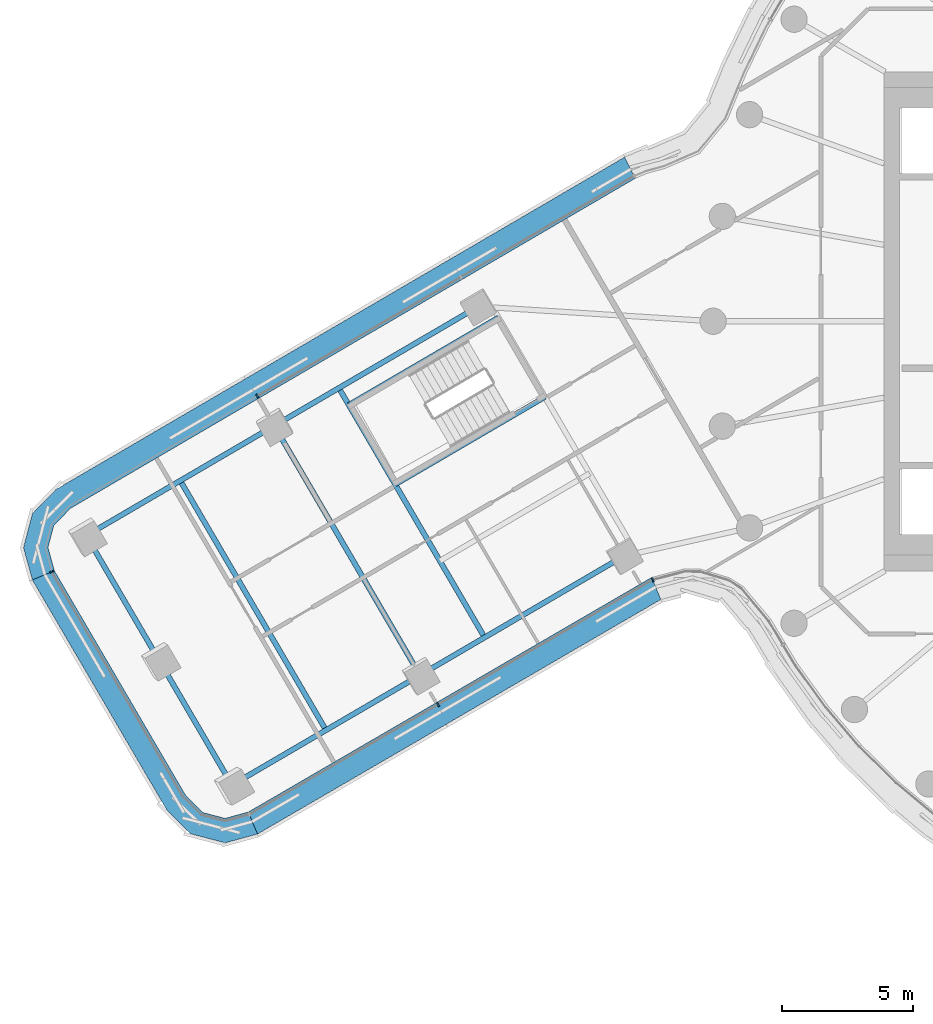
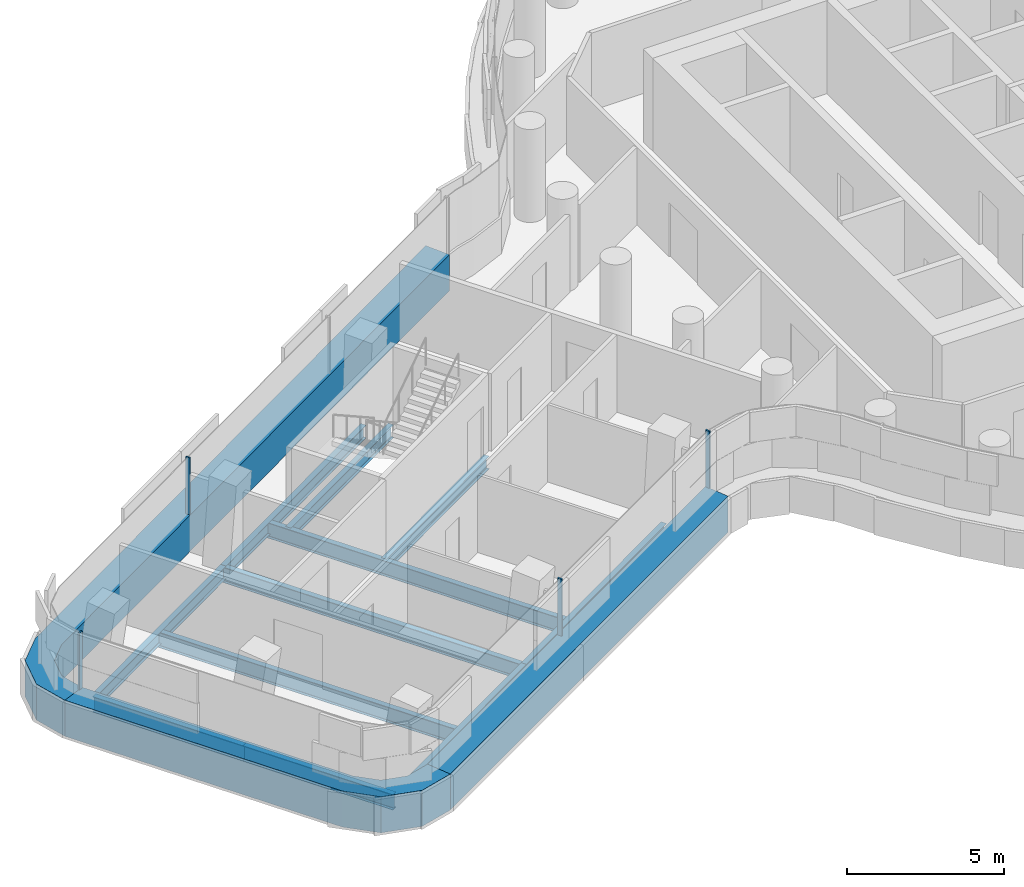
# One storey, part 7 of 35: 11 beams, 7 members, 4 elements without a shape of their own.
"""IFC4 building model written with IfcOpenShell, lengths in metres."""

from ifc_helpers import new_model, si_unit, direction, frame, origin, origin_2d, place, context, subcontext, project, spatial, polyline, rectangle, i_section, outline, extrude, material, layer, layer_set, material_profile, profile_set, type_object, element, aggregate, save


model = new_model("IFC4")

# Units and contexts
model_context = context("Model", 3, precision=1e-05, world=origin(), true_north=direction((0.0, 1.0)))
body_context = subcontext(model_context, "Body", "Model", "MODEL_VIEW")
ifc_project = project(units=[si_unit("LENGTHUNIT", "METRE"), si_unit("AREAUNIT", "SQUARE_METRE"), si_unit("VOLUMEUNIT", "CUBIC_METRE"), si_unit("PLANEANGLEUNIT", "RADIAN"), si_unit("MASSUNIT", "GRAM", prefix="KILO")], contexts=[model_context])

# Site, building, storey
site_placement = place(None, origin())
site = spatial("IfcSite", under=ifc_project, at=site_placement, CompositionType="ELEMENT")
building_placement = place(site_placement, origin())
building = spatial("IfcBuilding", under=site, at=building_placement, Name="Tamarind Cross Interchange Tower", CompositionType="ELEMENT")
storey_placement = place(building_placement, frame((0.0, 0.0, 144.25)))
storey = spatial("IfcBuildingStorey", under=building, at=storey_placement, Name="L35", CompositionType="ELEMENT", Elevation=144.25)

# Beams
ifc_material_1 = material(Name="Steel Q355B", Category="steel")
ifc_material_profile_1 = material_profile(ifc_material_1, i_section(OverallWidth=0.198974609375, OverallDepth=0.49609375, WebThickness=0.009033203125, FlangeThickness=0.013916015625, FilletRadius=0.012939453125, at=origin_2d()), Name="HN 496x199x9x14")
ifc_profile_set_1 = profile_set([ifc_material_profile_1], Name="Steel Q355B")
beam_type_1 = type_object("IfcBeamType", Name="Composite beam HN 496x199x9x14 Q355B", PredefinedType="BEAM", material=ifc_profile_set_1)
beam_1_placement = place(storey_placement, frame((-46.870849609375, -8.162841796875, -0.387939453125), z_axis=(0.863402759411, 0.504515287222, 0.0), x_axis=(-0.504515287222, 0.863402759411, 0.0)))
element("IfcBeam", 1, at=beam_1_placement, inside=storey, type_object=beam_type_1, Name="Beam W-edgeem5", PredefinedType="BEAM", context=body_context, shape_type="SweptSolid", body=[
    extrude(i_section(OverallWidth=0.198974609375, OverallDepth=0.49609375, WebThickness=0.009033203125, FlangeThickness=0.013916015625, FilletRadius=0.012939453125, at=origin_2d()), origin(), (0.0, 0.0, 1.0), 8.291748046875),
])
beam_2_placement = place(storey_placement, frame((-39.711669921875, -3.9794921875, -0.387939453125), z_axis=(0.863392968893, 0.504532041864, 0.0), x_axis=(-0.504532041864, 0.863392968893, 0.0)))
element("IfcBeam", 2, at=beam_2_placement, inside=storey, type_object=beam_type_1, Name="Beam W-edgeem6", PredefinedType="BEAM", context=body_context, shape_type="SweptSolid", body=[
    extrude(i_section(OverallWidth=0.198974609375, OverallDepth=0.49609375, WebThickness=0.009033203125, FlangeThickness=0.013916015625, FilletRadius=0.012939453125, at=origin_2d()), origin(), (0.0, 0.0, 1.0), 9.0),
])
beam_3_placement = place(storey_placement, frame((-41.3212890625, -17.66015625, -0.387939453125), z_axis=(0.863402759411, 0.504515287222, 0.0), x_axis=(-0.504515287222, 0.863402759411, 0.0)))
element("IfcBeam", 3, at=beam_3_placement, inside=storey, type_object=beam_type_1, Name="Beam W-edgeep2", PredefinedType="BEAM", context=body_context, shape_type="SweptSolid", body=[
    extrude(i_section(OverallWidth=0.198974609375, OverallDepth=0.49609375, WebThickness=0.009033203125, FlangeThickness=0.013916015625, FilletRadius=0.012939453125, at=origin_2d()), origin(), (0.0, 0.0, 1.0), 8.291748046875),
])
beam_4_placement = place(storey_placement, frame((-34.162109375, -13.476806640625, -0.387939453125), z_axis=(0.863411690028, 0.504500003492, 0.0), x_axis=(-0.504500003492, 0.863411690028, 0.0)))
element("IfcBeam", 4, at=beam_4_placement, inside=storey, type_object=beam_type_1, Name="Beam W-edgeep3", PredefinedType="BEAM", context=body_context, shape_type="SweptSolid", body=[
    extrude(i_section(OverallWidth=0.198974609375, OverallDepth=0.49609375, WebThickness=0.009033203125, FlangeThickness=0.013916015625, FilletRadius=0.012939453125, at=origin_2d()), origin(), (0.0, 0.0, 1.0), 9.0),
])
for number, where, z_axis, x_axis, name in (
    (5, (-31.174072265625, 0.140625, -0.387939453125), (-0.863401659884, -0.504517168894, 0.0), (0.504517168894, -0.863401659884, 0.0), "Beam W-tr0"),
    (6, (-29.408447265625, -2.881103515625, -0.387939453125), (-0.863401659884, -0.504517168894, 0.0), (0.504517168894, -0.863401659884, 0.0), "Beam W-tr1"),
):
    element("IfcBeam", number, at=place(storey_placement, frame(where, z_axis=z_axis, x_axis=x_axis)), inside=storey, type_object=beam_type_1, Name=name, PredefinedType="BEAM", context=body_context, shape_type="SweptSolid", body=[
        extrude(i_section(OverallWidth=0.198974609375, OverallDepth=0.49609375, WebThickness=0.009033203125, FlangeThickness=0.013916015625, FilletRadius=0.012939453125, at=origin_2d()), origin(), (0.0, 0.0, 1.0), 6.60009765625),
    ])
ifc_material_profile_2 = material_profile(ifc_material_1, i_section(OverallWidth=0.199951171875, OverallDepth=0.60009765625, WebThickness=0.010986328125, FlangeThickness=0.01708984375, FilletRadius=0.012939453125, at=origin_2d()), Name="HN 600x200x11x17")
ifc_profile_set_2 = profile_set([ifc_material_profile_2], Name="Steel Q355B")
beam_type_2 = type_object("IfcBeamType", Name="Composite beam HN 600x200x11x17 Q355B", PredefinedType="BEAM", material=ifc_profile_set_2)
for number, where, z_axis, x_axis, name in (
    (7, (-46.870849609375, -8.162841796875, -0.43994140625), (0.504538797609, -0.863389021072, 0.0), (0.863389021072, 0.504538797609, 0.0), "Beam W-tip0"),
    (8, (-44.095947265625, -12.911376953125, -0.43994140625), (0.50448637032, -0.863419655881, 0.0), (0.863419655881, 0.50448637032, 0.0), "Beam W-tip1"),
):
    element("IfcBeam", number, at=place(storey_placement, frame(where, z_axis=z_axis, x_axis=x_axis)), inside=storey, type_object=beam_type_2, Name=name, PredefinedType="BEAM", context=body_context, shape_type="SweptSolid", body=[
        extrude(i_section(OverallWidth=0.199951171875, OverallDepth=0.60009765625, WebThickness=0.010986328125, FlangeThickness=0.01708984375, FilletRadius=0.012939453125, at=origin_2d()), origin(), (0.0, 0.0, 1.0), 5.5),
    ])
beam_5_placement = place(storey_placement, frame((-37.2509765625, -2.54150390625, -0.43994140625), z_axis=(0.504502916074, -0.863409988171, 0.0), x_axis=(0.863409988171, 0.504502916074, 0.0)))
element("IfcBeam", 9, at=beam_5_placement, inside=storey, type_object=beam_type_2, Name="Beam W-x364", PredefinedType="BEAM", context=body_context, shape_type="SweptSolid", body=[
    extrude(i_section(OverallWidth=0.199951171875, OverallDepth=0.60009765625, WebThickness=0.010986328125, FlangeThickness=0.01708984375, FilletRadius=0.012939453125, at=origin_2d()), origin(), (0.0, 0.0, 1.0), 11.0),
])
beam_6_placement = place(storey_placement, frame((-39.711669921875, -3.9794921875, -0.43994140625), z_axis=(0.504512583988, -0.863404338996, 0.0), x_axis=(0.863404338996, 0.504512583988, 0.0)))
element("IfcBeam", 10, at=beam_6_placement, inside=storey, type_object=beam_type_2, Name="Beam W-x393", PredefinedType="BEAM", context=body_context, shape_type="SweptSolid", body=[
    extrude(i_section(OverallWidth=0.199951171875, OverallDepth=0.60009765625, WebThickness=0.010986328125, FlangeThickness=0.01708984375, FilletRadius=0.012939453125, at=origin_2d()), origin(), (0.0, 0.0, 1.0), 10.999755859375),
])
beam_7_placement = place(storey_placement, frame((-43.291259765625, -6.071044921875, -0.43994140625), z_axis=(0.504502916074, -0.863409988171, 0.0), x_axis=(0.863409988171, 0.504502916074, 0.0)))
element("IfcBeam", 11, at=beam_7_placement, inside=storey, type_object=beam_type_2, Name="Beam W-x434", PredefinedType="BEAM", context=body_context, shape_type="SweptSolid", body=[
    extrude(i_section(OverallWidth=0.199951171875, OverallDepth=0.60009765625, WebThickness=0.010986328125, FlangeThickness=0.01708984375, FilletRadius=0.012939453125, at=origin_2d()), origin(), (0.0, 0.0, 1.0), 11.0),
])

# Curtain wall, member
ifc_material_2 = material(Name="Aluminium 6063-T6", Category="aluminium")
ifc_layer = layer(ifc_material_2, 0.159912109375)
ifc_layer_set = layer_set([ifc_layer], Name="Aluminium 6063-T6")
curtain_wall_type = type_object("IfcCurtainWallType", Name="Office curtain wall, 9.0 m bays", PredefinedType="NOTDEFINED", material=ifc_layer_set)
curtain_wall_1_placement = place(storey_placement, origin())
curtain_wall_1 = element("IfcCurtainWall", 12, at=curtain_wall_1_placement, inside=storey, type_object=curtain_wall_type, Name="CWS-L35-00", PredefinedType="NOTDEFINED")
ifc_material_3 = material(Name="Aluminium and insulated spandrel panel", Category="aluminium")
member_type_1 = type_object("IfcMemberType", Name="Floor-edge blade transom", PredefinedType="USERDEFINED", material=ifc_material_3)
member_1_placement = place(storey_placement, origin())
member_1 = element("IfcMember", 13, at=member_1_placement, type_object=member_type_1, Name="CWT-L35-00", ObjectType="TRANSOM", PredefinedType="USERDEFINED", context=body_context, shape_type="SweptSolid", body=[
    extrude(outline(polyline([(-48.0859375, -9.49755859375), (-43.08056640625, -18.0634765625), (-42.429931640625, -18.707275390625), (-41.583984375, -18.92919921875), (-40.70068359375, -18.6875), (-40.349853515625, -19.524658203125), (-41.5791015625, -19.86083984375), (-42.8916015625, -19.5166015625), (-43.7978515625, -18.619873046875), (-48.9228515625, -9.849365234375), (-48.0859375, -9.49755859375)])), origin(), (0.0, 0.0, 1.0), 1.39990234375),
])

curtain_wall_2_placement = place(storey_placement, origin())
curtain_wall_2 = element("IfcCurtainWall", 14, at=curtain_wall_2_placement, inside=storey, type_object=curtain_wall_type, Name="CWS-L35-01", PredefinedType="NOTDEFINED")
member_2_placement = place(storey_placement, origin())
member_2 = element("IfcMember", 15, at=member_2_placement, type_object=member_type_1, Name="CWT-L35-01", ObjectType="TRANSOM", PredefinedType="USERDEFINED", context=body_context, shape_type="SweptSolid", body=[
    extrude(outline(polyline([(-40.70068359375, -18.6875), (-25.33837890625, -9.75390625), (-24.992431640625, -10.59375), (-40.349853515625, -19.524658203125), (-40.70068359375, -18.6875)])), origin(), (0.0, 0.0, 1.0), 1.39990234375),
])

curtain_wall_3_placement = place(storey_placement, origin())
curtain_wall_3 = element("IfcCurtainWall", 16, at=curtain_wall_3_placement, inside=storey, type_object=curtain_wall_type, Name="CWS-L35-15", PredefinedType="NOTDEFINED")
member_3_placement = place(storey_placement, origin())
member_3 = element("IfcMember", 17, at=member_3_placement, type_object=member_type_1, Name="CWT-L35-15", ObjectType="TRANSOM", PredefinedType="USERDEFINED", context=body_context, shape_type="SweptSolid", body=[
    extrude(outline(polyline([(-25.965576171875, 5.44287109375), (-47.461669921875, -7.1181640625), (-48.10546875, -7.768798828125), (-48.327392578125, -8.614501953125), (-48.0859375, -9.49755859375), (-48.9228515625, -9.849365234375), (-49.25927734375, -8.619384765625), (-48.914794921875, -7.30712890625), (-48.01806640625, -6.40087890625), (-26.36865234375, 6.24951171875), (-25.965576171875, 5.44287109375)])), origin(), (0.0, 0.0, 1.0), 1.39990234375),
])

# Member
ifc_material_profile_3 = material_profile(ifc_material_2, rectangle(XDim=0.06005859375, YDim=0.159912109375, at=origin_2d()), Name="Mullion CW1")
ifc_profile_set_3 = profile_set([ifc_material_profile_3], Name="Aluminium 6063-T6")
member_type_2 = type_object("IfcMemberType", Name="Mullion CW1", PredefinedType="MULLION", material=ifc_profile_set_3)
member_4_placement = place(storey_placement, frame((-48.178955078125, -9.53662109375, 1.39990234375), z_axis=(0.0, 0.0, 1.0), x_axis=(0.387502714777, -0.921868562237, 0.0)))
member_4 = element("IfcMember", 18, at=member_4_placement, type_object=member_type_2, Name="CWM-L35-00-00", PredefinedType="MULLION", context=body_context, shape_type="SweptSolid", body=[
    extrude(rectangle(XDim=0.06005859375, YDim=0.159912109375, at=origin_2d()), origin(), (0.0, 0.0, 1.0), 2.210205078125),
])

aggregate(curtain_wall_1, [member_4, member_1])

member_5_placement = place(storey_placement, frame((-33.473876953125, -14.6005859375, 1.39990234375), z_axis=(0.0, 0.0, 1.0), x_axis=(0.864456031525, 0.502708433946, 0.0)))
member_5 = element("IfcMember", 19, at=member_5_placement, type_object=member_type_2, Name="CWM-L35-01-01", PredefinedType="MULLION", context=body_context, shape_type="SweptSolid", body=[
    extrude(rectangle(XDim=0.06005859375, YDim=0.159912109375, at=origin_2d()), origin(), (0.0, 0.0, 1.0), 2.210205078125),
])

aggregate(curtain_wall_2, [member_5, member_2])

# Curtain wall, member
curtain_wall_4_placement = place(storey_placement, origin())
curtain_wall_4 = element("IfcCurtainWall", 20, at=curtain_wall_4_placement, inside=storey, type_object=curtain_wall_type, Name="CWS-L35-02", PredefinedType="NOTDEFINED")
member_6_placement = place(storey_placement, frame((-25.300048828125, -9.84716796875, 1.39990234375), z_axis=(0.0, 0.0, 1.0), x_axis=(0.924643142095, 0.380834688252, 0.0)))
member_6 = element("IfcMember", 21, at=member_6_placement, type_object=member_type_2, Name="CWM-L35-02-00", PredefinedType="MULLION", context=body_context, shape_type="SweptSolid", body=[
    extrude(rectangle(XDim=0.06005859375, YDim=0.159912109375, at=origin_2d()), origin(), (0.0, 0.0, 1.0), 2.210205078125),
])
aggregate(curtain_wall_4, [member_6])

# Member
member_7_placement = place(storey_placement, frame((-40.356201171875, -2.850341796875, 1.39990234375), z_axis=(0.0, 0.0, 1.0), x_axis=(-0.863402595057, -0.50451556849, 0.0)))
member_7 = element("IfcMember", 22, at=member_7_placement, type_object=member_type_2, Name="CWM-L35-15-02", PredefinedType="MULLION", context=body_context, shape_type="SweptSolid", body=[
    extrude(rectangle(XDim=0.06005859375, YDim=0.159912109375, at=origin_2d()), origin(), (0.0, 0.0, 1.0), 2.210205078125),
])

aggregate(curtain_wall_3, [member_7, member_3])

save(model, "model.ifc")
